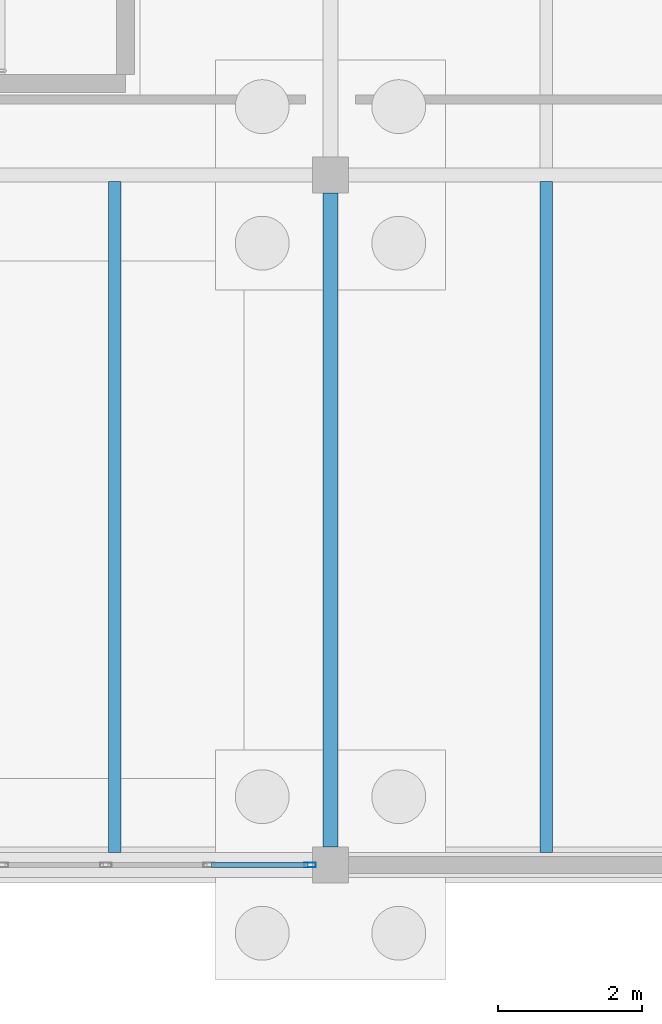
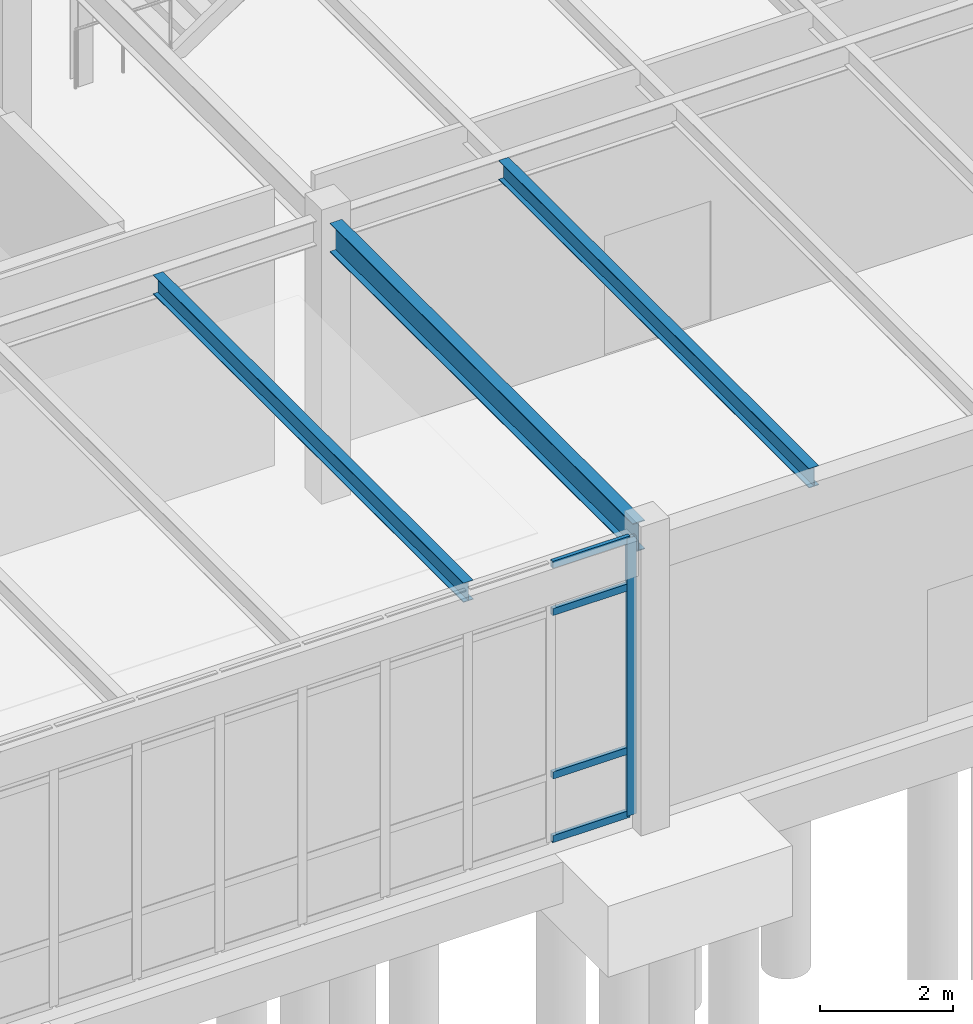
# One storey, part 22 of 188: 5 members, 3 beams, 1 element without a shape of its own.
"""IFC4 building model written with IfcOpenShell, lengths in metres."""

from ifc_helpers import new_model, si_unit, direction, frame, origin, origin_2d, place, context, subcontext, project, spatial, hollow_rectangle, i_section, extrude, material, layer, layer_set, material_profile, profile_set, type_object, element, aggregate, save


model = new_model("IFC4")

# Units and contexts
model_context = context("Model", 3, precision=1e-05, world=origin(), true_north=direction((0.0, 1.0)))
body_context = subcontext(model_context, "Body", "Model", "MODEL_VIEW")
ifc_project = project(units=[si_unit("LENGTHUNIT", "METRE"), si_unit("AREAUNIT", "SQUARE_METRE"), si_unit("VOLUMEUNIT", "CUBIC_METRE"), si_unit("PLANEANGLEUNIT", "RADIAN"), si_unit("MASSUNIT", "GRAM", prefix="KILO")], contexts=[model_context])

# Site, building, storey
site_placement = place(None, origin())
site = spatial("IfcSite", under=ifc_project, at=site_placement, CompositionType="ELEMENT")
building_placement = place(site_placement, origin())
building = spatial("IfcBuilding", under=site, at=building_placement, Name="Pandanus Reach Market Hall", CompositionType="ELEMENT")
storey_placement = place(building_placement, origin())
storey = spatial("IfcBuildingStorey", under=building, at=storey_placement, Name="L00", CompositionType="ELEMENT", Elevation=0.0)

# Beam
ifc_material_1 = material(Name="Steel Grade 350 (350 MPa)", Category="steel")
ifc_material_profile_1 = material_profile(ifc_material_1, i_section(OverallWidth=0.208984375, OverallDepth=0.532958984375, WebThickness=0.01025390625, FlangeThickness=0.015625, at=origin_2d()), Name="530UB92.4", Category="LoadBearing")
ifc_profile_set_1 = profile_set([ifc_material_profile_1], Name="Steel Grade 350 (350 MPa)")
beam_type_1 = type_object("IfcBeamType", Name="BM-UB530-I", PredefinedType="BEAM", material=ifc_profile_set_1)
beam_placement = place(storey_placement, frame((12.0, 0.248046875, 4.843017578125), z_axis=(0.0, 1.0, 0.0), x_axis=(-1.0, 0.0, 0.0)))
element("IfcBeam", 1, at=beam_placement, inside=storey, type_object=beam_type_1, Name="Framing beam BM-UB530-I L00.936", PredefinedType="BEAM", context=body_context, shape_type="SweptSolid", body=[
    extrude(i_section(OverallWidth=0.208984375, OverallDepth=0.532958984375, WebThickness=0.01025390625, FlangeThickness=0.015625, at=origin_2d()), origin(), (0.0, 0.0, 1.0), 9.10400390625),
])

# Curtain wall, members
ifc_material_2 = material(Name="Bronze anodised aluminium and low-E glass", Category="aluminium")
ifc_layer = layer(ifc_material_2, 0.159912109375, Name="CW-09")
ifc_layer_set = layer_set([ifc_layer], Name="Bronze anodised aluminium and low-E glass")
curtain_wall_type = type_object("IfcCurtainWallType", Name="CW-09", PredefinedType="NOTDEFINED", material=ifc_layer_set)
curtain_wall_placement = place(storey_placement, origin())
curtain_wall = element("IfcCurtainWall", 2, at=curtain_wall_placement, inside=storey, type_object=curtain_wall_type, Name="Glazed curtain wall CW-09 CW-0047", PredefinedType="NOTDEFINED")
ifc_material_3 = material(Name="Bronze anodised aluminium", Category="aluminium")
ifc_material_profile_2 = material_profile(ifc_material_3, hollow_rectangle(XDim=0.06494140625, YDim=0.159912109375, WallThickness=0.00390625, at=origin_2d()), Name="ALU65x160", Category="LoadBearing")
ifc_profile_set_2 = profile_set([ifc_material_profile_2], Name="Bronze anodised aluminium")
member_type_1 = type_object("IfcMemberType", Name="CW-M1", PredefinedType="MULLION", material=ifc_profile_set_2)
member_1_placement = place(storey_placement, frame((11.717529296875, 0.0, 0.0), z_axis=(0.0, 0.0, 1.0), x_axis=(0.0, 1.0, 0.0)))
member_1 = element("IfcMember", 3, at=member_1_placement, type_object=member_type_1, Name="CW-09 mullion 9", PredefinedType="MULLION", context=body_context, shape_type="SweptSolid", body=[
    extrude(hollow_rectangle(XDim=0.06494140625, YDim=0.159912109375, WallThickness=0.00390625, at=origin_2d()), origin(), (0.0, 0.0, 1.0), 5.10009765625),
])
ifc_material_profile_3 = material_profile(ifc_material_3, hollow_rectangle(XDim=0.06494140625, YDim=0.1298828125, WallThickness=0.00390625, at=origin_2d()), Name="ALU65x130", Category="LoadBearing")
ifc_profile_set_3 = profile_set([ifc_material_profile_3], Name="Bronze anodised aluminium")
member_type_2 = type_object("IfcMemberType", Name="CW-T1", PredefinedType="USERDEFINED", material=ifc_profile_set_3)
member_2_placement = place(storey_placement, frame((10.344970703125, 0.0, 0.032470703125), z_axis=(1.0, 0.0, 0.0), x_axis=(0.0, 1.0, 0.0)))
member_2 = element("IfcMember", 4, at=member_2_placement, type_object=member_type_2, Name="CW-09 transom 8.1", ObjectType="TRANSOM", PredefinedType="USERDEFINED", context=body_context, shape_type="SweptSolid", body=[
    extrude(hollow_rectangle(XDim=0.06494140625, YDim=0.1298828125, WallThickness=0.00390625, at=origin_2d()), origin(), (0.0, 0.0, 1.0), 1.340087890625),
])
member_3_placement = place(storey_placement, frame((10.344970703125, 0.0, 1.199951171875), z_axis=(1.0, 0.0, 0.0), x_axis=(0.0, 1.0, 0.0)))
member_3 = element("IfcMember", 5, at=member_3_placement, type_object=member_type_2, Name="CW-09 transom 8.2", ObjectType="TRANSOM", PredefinedType="USERDEFINED", context=body_context, shape_type="SweptSolid", body=[
    extrude(hollow_rectangle(XDim=0.06494140625, YDim=0.1298828125, WallThickness=0.00390625, at=origin_2d()), origin(), (0.0, 0.0, 1.0), 1.340087890625),
])
member_4_placement = place(storey_placement, frame((10.344970703125, 0.0, 4.199951171875), z_axis=(1.0, 0.0, 0.0), x_axis=(0.0, 1.0, 0.0)))
member_4 = element("IfcMember", 6, at=member_4_placement, type_object=member_type_2, Name="CW-09 transom 8.3", ObjectType="TRANSOM", PredefinedType="USERDEFINED", context=body_context, shape_type="SweptSolid", body=[
    extrude(hollow_rectangle(XDim=0.06494140625, YDim=0.1298828125, WallThickness=0.00390625, at=origin_2d()), origin(), (0.0, 0.0, 1.0), 1.340087890625),
])
member_5_placement = place(storey_placement, frame((10.344970703125, 0.0, 5.0673828125), z_axis=(1.0, 0.0, 0.0), x_axis=(0.0, 1.0, 0.0)))
member_5 = element("IfcMember", 7, at=member_5_placement, type_object=member_type_2, Name="CW-09 transom 8.4", ObjectType="TRANSOM", PredefinedType="USERDEFINED", context=body_context, shape_type="SweptSolid", body=[
    extrude(hollow_rectangle(XDim=0.06494140625, YDim=0.1298828125, WallThickness=0.00390625, at=origin_2d()), origin(), (0.0, 0.0, 1.0), 1.340087890625),
])
aggregate(curtain_wall, [member_1, member_2, member_3, member_4, member_5])

# Beams
ifc_material_profile_4 = material_profile(ifc_material_1, i_section(OverallWidth=0.1708984375, OverallDepth=0.35595703125, WebThickness=0.00732421875, FlangeThickness=0.011474609375, at=origin_2d()), Name="360UB50.7", Category="LoadBearing")
ifc_profile_set_4 = profile_set([ifc_material_profile_4], Name="Steel Grade 350 (350 MPa)")
beam_type_2 = type_object("IfcBeamType", Name="JS-UB360-I", PredefinedType="JOIST", material=ifc_profile_set_4)
for number, where, z_axis, x_axis, name in (
    (8, (9.0, 0.173095703125, 4.931640625), (0.0, 1.0, 0.0), (-1.0, 0.0, 0.0), "Secondary joist JS-UB360-I L00.947"),
    (9, (15.0, 0.173095703125, 4.931640625), (0.0, 1.0, 0.0), (-1.0, 0.0, 0.0), "Secondary joist JS-UB360-I L00.951"),
):
    element("IfcBeam", number, at=place(storey_placement, frame(where, z_axis=z_axis, x_axis=x_axis)), inside=storey, type_object=beam_type_2, Name=name, PredefinedType="JOIST", context=body_context, shape_type="SweptSolid", body=[
        extrude(i_section(OverallWidth=0.1708984375, OverallDepth=0.35595703125, WebThickness=0.00732421875, FlangeThickness=0.011474609375, at=origin_2d()), origin(), (0.0, 0.0, 1.0), 9.333984375),
    ])

save(model, "model.ifc")
